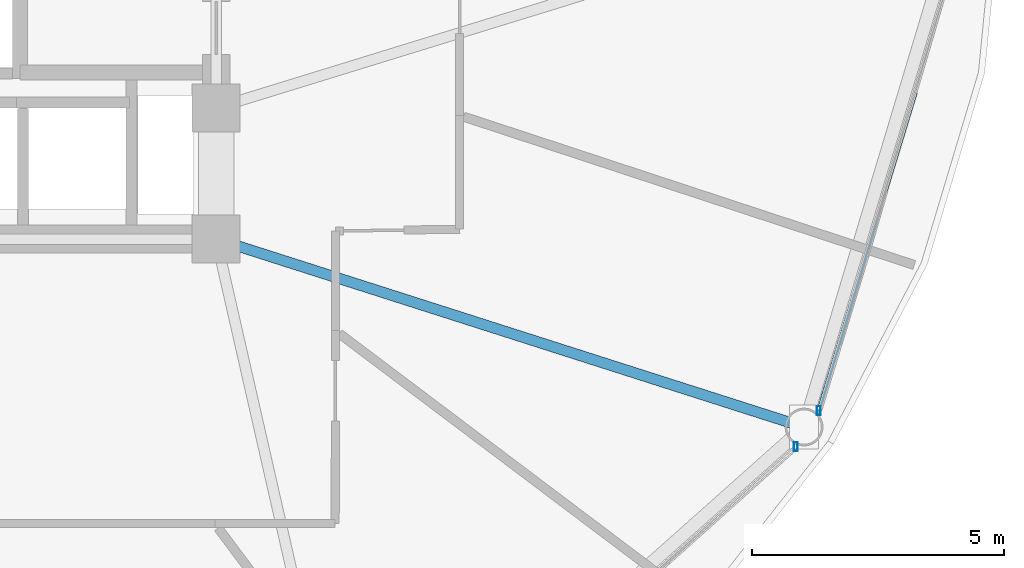
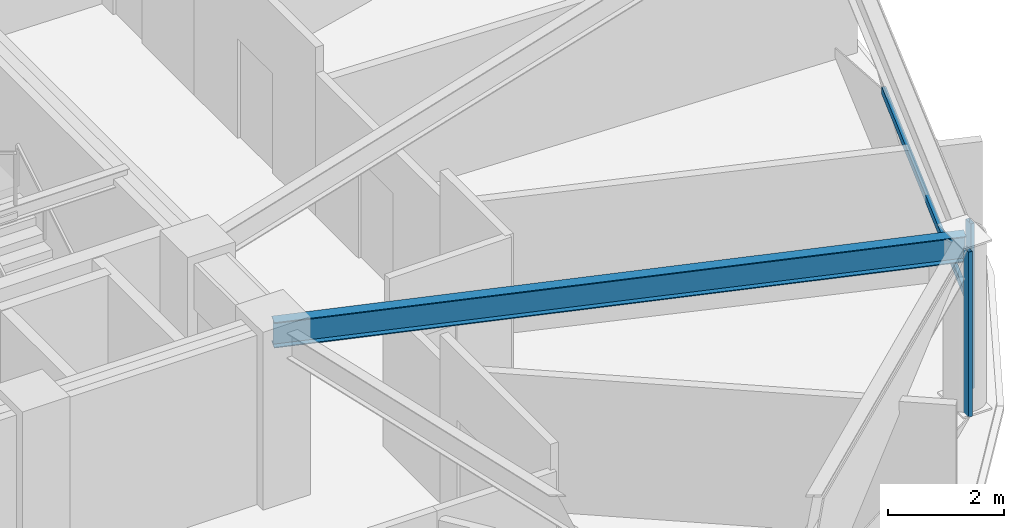
# One storey, part 11 of 29: 3 members, 1 beam, 2 elements without a shape of their own.
"""IFC4 building model written with IfcOpenShell, lengths in metres."""

from ifc_helpers import new_model, si_unit, direction, frame, origin, origin_2d, place, context, subcontext, project, spatial, hollow_rectangle, i_section, extrude, material, layer, layer_set, material_profile, profile_set, type_object, element, aggregate, save


model = new_model("IFC4")

# Units and contexts
model_context = context("Model", 3, precision=1e-05, world=origin(), true_north=direction((0.0, 1.0)))
body_context = subcontext(model_context, "Body", "Model", "MODEL_VIEW")
ifc_project = project(units=[si_unit("LENGTHUNIT", "METRE"), si_unit("AREAUNIT", "SQUARE_METRE"), si_unit("VOLUMEUNIT", "CUBIC_METRE"), si_unit("PLANEANGLEUNIT", "RADIAN"), si_unit("MASSUNIT", "GRAM", prefix="KILO")], contexts=[model_context])

# Site, building, storey
site_placement = place(None, origin())
site = spatial("IfcSite", under=ifc_project, at=site_placement, CompositionType="ELEMENT")
building_placement = place(site_placement, origin())
building = spatial("IfcBuilding", under=site, at=building_placement, Name="Vantalir Tower", CompositionType="ELEMENT")
storey_placement = place(building_placement, frame((0.0, 0.0, 168.449951171875)))
storey = spatial("IfcBuildingStorey", under=building, at=storey_placement, Name="L42", CompositionType="ELEMENT", Elevation=168.449951171875)

# Beam
ifc_material_1 = material(Name="Steel S355", Category="steel")
ifc_material_profile_1 = material_profile(ifc_material_1, i_section(OverallWidth=0.2109375, OverallDepth=0.5390625, WebThickness=0.01171875, FlangeThickness=0.018798828125, at=origin_2d()), Name="Steel S355")
ifc_profile_set_1 = profile_set([ifc_material_profile_1], Name="Steel S355")
beam_type = type_object("IfcBeamType", Name="BM-RB-533x210", PredefinedType="BEAM", material=ifc_profile_set_1)
beam_placement = place(storey_placement, frame((52.7490234375, 14.075927734375, 3.301025390625), z_axis=(-0.952508018869, 0.30451350379, 0.0), x_axis=(-0.30451350379, -0.952508018869, 0.0)))
element("IfcBeam", 1, at=beam_placement, inside=storey, type_object=beam_type, Name="L42 Radial Floor Beam 12", PredefinedType="BEAM", context=body_context, shape_type="SweptSolid", body=[
    extrude(i_section(OverallWidth=0.2109375, OverallDepth=0.5390625, WebThickness=0.01171875, FlangeThickness=0.018798828125, at=origin_2d()), origin(), (0.0, 0.0, 1.0), 12.229736328125),
])

# Curtain wall, member
ifc_material_2 = material(Name="Champagne-silver PVDF aluminium and double-silver Low-E glass", Category="aluminium")
ifc_layer = layer(ifc_material_2, 0.199951171875)
ifc_layer_set = layer_set([ifc_layer], Name="Champagne-silver PVDF aluminium and double-silver Low-E glass")
curtain_wall_type = type_object("IfcCurtainWallType", Name="CW-DIAMOND-Z2", PredefinedType="USERDEFINED", material=ifc_layer_set)
curtain_wall_1_placement = place(storey_placement, origin())
curtain_wall_1 = element("IfcCurtainWall", 2, at=curtain_wall_1_placement, inside=storey, type_object=curtain_wall_type, Name="L42 Quilted Pyramid-Diamond Curtain Wall S11", ObjectType="UNITISED CURTAIN WALL", PredefinedType="USERDEFINED")
ifc_material_3 = material(Name="Champagne-silver PVDF aluminium 6063-T6", Category="aluminium")
ifc_material_profile_2 = material_profile(ifc_material_3, hollow_rectangle(XDim=0.074951171875, YDim=0.179931640625, WallThickness=0.00390625, at=origin_2d()), Name="Champagne-silver PVDF aluminium 6063-T6")
ifc_profile_set_2 = profile_set([ifc_material_profile_2], Name="Champagne-silver PVDF aluminium 6063-T6")
member_type_1 = type_object("IfcMemberType", Name="CWM-180x75", PredefinedType="MULLION", material=ifc_profile_set_2)
member_1_placement = place(storey_placement, frame((52.5849609375, 13.68798828125, 0.045166015625), z_axis=(0.0, 0.0, 1.0), x_axis=(1.0, 0.0, 0.0)))
member_1 = element("IfcMember", 3, at=member_1_placement, type_object=member_type_1, Name="CW-L42-S11 Mullion 2", PredefinedType="MULLION", context=body_context, shape_type="SweptSolid", body=[
    extrude(hollow_rectangle(XDim=0.074951171875, YDim=0.179931640625, WallThickness=0.00390625, at=origin_2d()), origin(), (0.0, 0.0, 1.0), 3.47998046875),
])
aggregate(curtain_wall_1, [member_1])

# Curtain wall, members
curtain_wall_2_placement = place(storey_placement, origin())
curtain_wall_2 = element("IfcCurtainWall", 4, at=curtain_wall_2_placement, inside=storey, type_object=curtain_wall_type, Name="L42 Quilted Pyramid-Diamond Curtain Wall S12", ObjectType="UNITISED CURTAIN WALL", PredefinedType="USERDEFINED")
member_2_placement = place(storey_placement, frame((53.0400390625, 14.402099609375, 0.045166015625), z_axis=(0.0, 0.0, 1.0), x_axis=(1.0, 0.0, 0.0)))
member_2 = element("IfcMember", 5, at=member_2_placement, type_object=member_type_1, Name="CW-L42-S12 Mullion 1", PredefinedType="MULLION", context=body_context, shape_type="SweptSolid", body=[
    extrude(hollow_rectangle(XDim=0.074951171875, YDim=0.179931640625, WallThickness=0.00390625, at=origin_2d()), origin(), (0.0, 0.0, 1.0), 3.47998046875),
])
ifc_material_profile_3 = material_profile(ifc_material_3, hollow_rectangle(XDim=0.074951171875, YDim=0.159912109375, WallThickness=0.00390625, at=origin_2d()), Name="Champagne-silver PVDF aluminium 6063-T6")
ifc_profile_set_3 = profile_set([ifc_material_profile_3], Name="Champagne-silver PVDF aluminium 6063-T6")
member_type_2 = type_object("IfcMemberType", Name="CWT-160x75", PredefinedType="USERDEFINED", material=ifc_profile_set_3)
member_3_placement = place(storey_placement, frame((53.0400390625, 14.402099609375, 1.78515625), z_axis=(0.291304592618, 0.956630354065, 0.0), x_axis=(-0.956630354065, 0.291304592618, 0.0)))
member_3 = element("IfcMember", 6, at=member_3_placement, type_object=member_type_2, Name="CW-L42-S12 Pyramid Fold Ridge Transom", ObjectType="TRANSOM", PredefinedType="USERDEFINED", context=body_context, shape_type="SweptSolid", body=[
    extrude(hollow_rectangle(XDim=0.074951171875, YDim=0.159912109375, WallThickness=0.00390625, at=origin_2d()), origin(), (0.0, 0.0, 1.0), 6.5908203125),
])
aggregate(curtain_wall_2, [member_2, member_3])

save(model, "model.ifc")
